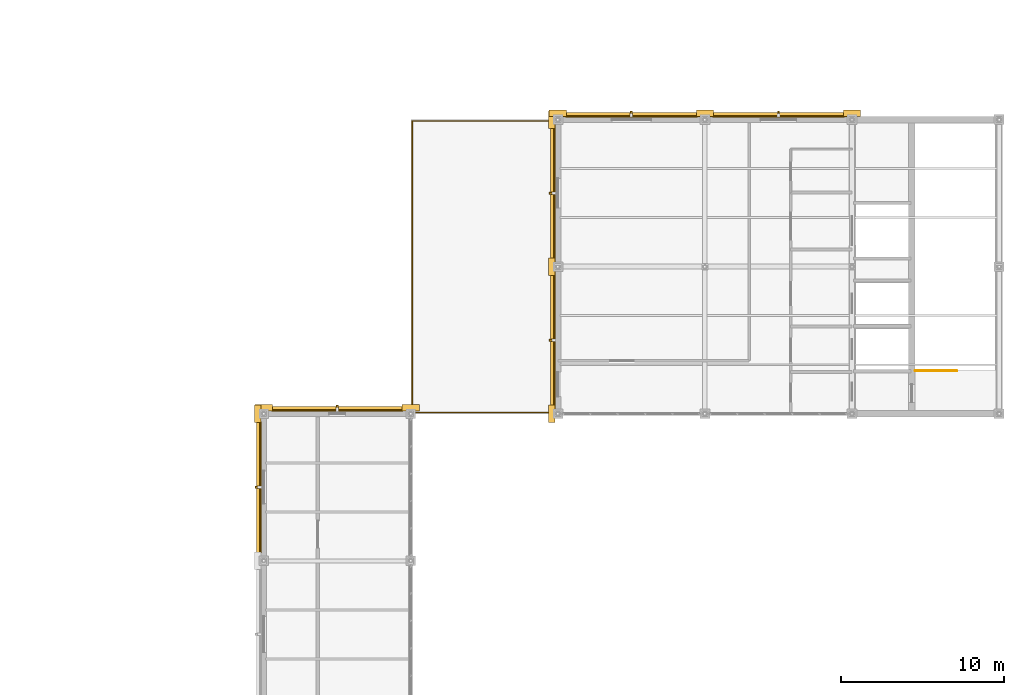
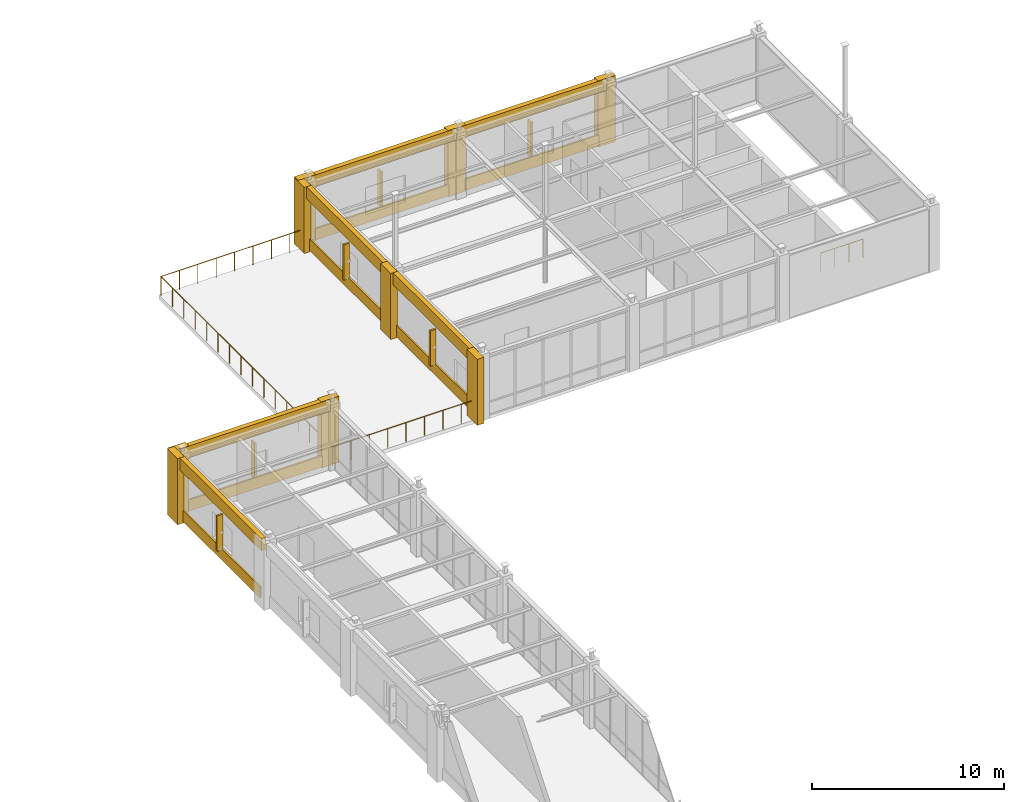
# One storey, part 97 of 97: 21 coverings, 6 shading devices, 2 railings.
"""IFC4 building model written with IfcOpenShell, lengths in metres."""

from ifc_helpers import new_model, si_unit, direction, frame, origin, origin_2d, place, context, subcontext, project, spatial, rectangle, circle, extrude, material, layer, layer_set, type_object, element, save


model = new_model("IFC4")

# Units and contexts
model_context = context("Model", 3, precision=1e-05, world=origin(), true_north=direction((0.0, 1.0)))
body_context = subcontext(model_context, "Body", "Model", "MODEL_VIEW")
ifc_project = project(units=[si_unit("LENGTHUNIT", "METRE"), si_unit("AREAUNIT", "SQUARE_METRE"), si_unit("VOLUMEUNIT", "CUBIC_METRE"), si_unit("PLANEANGLEUNIT", "RADIAN"), si_unit("MASSUNIT", "GRAM", prefix="KILO")], contexts=[model_context])

# Site, building, storey
site_placement = place(None, origin())
site = spatial("IfcSite", under=ifc_project, at=site_placement, CompositionType="ELEMENT")
building_placement = place(site_placement, origin())
building = spatial("IfcBuilding", under=site, at=building_placement, Name="Lykobir Media Centre", CompositionType="ELEMENT")
storey_placement = place(building_placement, frame((0.0, 0.0, 23.39990234375)))
storey = spatial("IfcBuildingStorey", under=building, at=storey_placement, Name="L05", CompositionType="ELEMENT", Elevation=23.39990234375)

# Coverings
ifc_material_1 = material(Name="Glazed Turquoise Terracotta", Category="masonry")
ifc_layer_1 = layer(ifc_material_1, 0.0400390625, Name="Glazed Turquoise Terracotta")
ifc_layer_set_1 = layer_set([ifc_layer_1], Name="Glazed Turquoise Terracotta")
covering_type_1 = type_object("IfcCoveringType", Name="CLD-TERR", PredefinedType="CLADDING", material=ifc_layer_set_1)
for number, where, z_axis, x_axis, name in (
    (1, (94.5, 72.196044921875, 0.080078125), (0.0, 0.0, 1.0), (-1.0, 0.0, 0.0), "Facade spandrel apron 733"),
    (2, (89.803955078125, 67.5, 0.080078125), (0.0, 0.0, 1.0), (0.0, -1.0, 0.0), "Facade spandrel apron 752"),
    (3, (112.5, 90.196044921875, 0.080078125), (0.0, 0.0, 1.0), (-1.0, 0.0, 0.0), "Facade spandrel apron 848"),
    (4, (121.5, 90.196044921875, 0.080078125), (0.0, 0.0, 1.0), (-1.0, 0.0, 0.0), "Facade spandrel apron 851"),
    (5, (107.803955078125, 76.5, 0.080078125), (0.0, 0.0, 1.0), (0.0, -1.0, 0.0), "Facade spandrel apron 855"),
    (6, (107.803955078125, 85.5, 0.080078125), (0.0, 0.0, 1.0), (0.0, -1.0, 0.0), "Facade spandrel apron 858"),
):
    element("IfcCovering", number, at=place(storey_placement, frame(where, z_axis=z_axis, x_axis=x_axis)), inside=storey, type_object=covering_type_1, Name=name, PredefinedType="CLADDING", context=body_context, shape_type="SweptSolid", body=[
        extrude(rectangle(XDim=8.030029296875, YDim=0.10009765625, at=origin_2d()), origin(), (0.0, 0.0, 1.0), 0.719970703125),
    ])
ifc_material_2 = material(Name="Honed Travertine Stone", Category="masonry")
ifc_layer_2 = layer(ifc_material_2, 0.050048828125, Name="Honed Travertine Stone")
ifc_layer_set_2 = layer_set([ifc_layer_2], Name="Honed Travertine Stone")
covering_type_2 = type_object("IfcCoveringType", Name="CLD-TRAV", PredefinedType="CLADDING", material=ifc_layer_set_2)
for number, where, z_axis, x_axis, name in (
    (7, (99.0, 72.3798828125, 0.0), (0.0, 0.0, 1.0), (-1.0, 0.0, 0.0), "Travertine column pier 730"),
    (8, (90.0, 72.3798828125, 0.0), (0.0, 0.0, 1.0), (-1.0, 0.0, 0.0), "Travertine column pier 731"),
):
    element("IfcCovering", number, at=place(storey_placement, frame(where, z_axis=z_axis, x_axis=x_axis)), inside=storey, type_object=covering_type_2, Name=name, PredefinedType="CLADDING", context=body_context, shape_type="SweptSolid", body=[
        extrude(rectangle(XDim=1.06005859375, YDim=0.39990234375, at=origin_2d()), origin(), (0.0, 0.0, 1.0), 4.199951171875),
    ])
covering_1_placement = place(storey_placement, frame((94.5, 72.300048828125, 3.43994140625), z_axis=(0.0, 0.0, 1.0), x_axis=(-1.0, 0.0, 0.0)))
element("IfcCovering", 9, at=covering_1_placement, inside=storey, type_object=covering_type_2, Name="Travertine spandrel stringcourse 732", PredefinedType="CLADDING", context=body_context, shape_type="SweptSolid", body=[
    extrude(rectangle(XDim=9.0, YDim=0.280029296875, at=origin_2d()), origin(), (0.0, 0.0, 1.0), 0.760009765625),
])
covering_2_placement = place(storey_placement, frame((89.6201171875, 72.0, 0.0), z_axis=(0.0, 0.0, 1.0), x_axis=(0.0, -1.0, 0.0)))
element("IfcCovering", 10, at=covering_2_placement, inside=storey, type_object=covering_type_2, Name="Travertine column pier 750", PredefinedType="CLADDING", context=body_context, shape_type="SweptSolid", body=[
    extrude(rectangle(XDim=1.06005859375, YDim=0.39990234375, at=origin_2d()), origin(), (0.0, 0.0, 1.0), 4.199951171875),
])
covering_3_placement = place(storey_placement, frame((89.699951171875, 67.5, 3.43994140625), z_axis=(0.0, 0.0, 1.0), x_axis=(0.0, -1.0, 0.0)))
element("IfcCovering", 11, at=covering_3_placement, inside=storey, type_object=covering_type_2, Name="Travertine spandrel stringcourse 751", PredefinedType="CLADDING", context=body_context, shape_type="SweptSolid", body=[
    extrude(rectangle(XDim=9.0, YDim=0.280029296875, at=origin_2d()), origin(), (0.0, 0.0, 1.0), 0.760009765625),
])
for number, where, z_axis, x_axis, name in (
    (12, (117.0, 90.3798828125, 0.0), (0.0, 0.0, 1.0), (-1.0, 0.0, 0.0), "Travertine column pier 845"),
    (13, (108.0, 90.3798828125, 0.0), (0.0, 0.0, 1.0), (-1.0, 0.0, 0.0), "Travertine column pier 846"),
):
    element("IfcCovering", number, at=place(storey_placement, frame(where, z_axis=z_axis, x_axis=x_axis)), inside=storey, type_object=covering_type_2, Name=name, PredefinedType="CLADDING", context=body_context, shape_type="SweptSolid", body=[
        extrude(rectangle(XDim=1.06005859375, YDim=0.39990234375, at=origin_2d()), origin(), (0.0, 0.0, 1.0), 4.199951171875),
    ])
covering_4_placement = place(storey_placement, frame((112.5, 90.300048828125, 3.43994140625), z_axis=(0.0, 0.0, 1.0), x_axis=(-1.0, 0.0, 0.0)))
element("IfcCovering", 14, at=covering_4_placement, inside=storey, type_object=covering_type_2, Name="Travertine spandrel stringcourse 847", PredefinedType="CLADDING", context=body_context, shape_type="SweptSolid", body=[
    extrude(rectangle(XDim=9.0, YDim=0.280029296875, at=origin_2d()), origin(), (0.0, 0.0, 1.0), 0.760009765625),
])
covering_5_placement = place(storey_placement, frame((126.0, 90.3798828125, 0.0), z_axis=(0.0, 0.0, 1.0), x_axis=(-1.0, 0.0, 0.0)))
element("IfcCovering", 15, at=covering_5_placement, inside=storey, type_object=covering_type_2, Name="Travertine column pier 849", PredefinedType="CLADDING", context=body_context, shape_type="SweptSolid", body=[
    extrude(rectangle(XDim=1.06005859375, YDim=0.39990234375, at=origin_2d()), origin(), (0.0, 0.0, 1.0), 4.199951171875),
])
covering_6_placement = place(storey_placement, frame((121.5, 90.300048828125, 3.43994140625), z_axis=(0.0, 0.0, 1.0), x_axis=(-1.0, 0.0, 0.0)))
element("IfcCovering", 16, at=covering_6_placement, inside=storey, type_object=covering_type_2, Name="Travertine spandrel stringcourse 850", PredefinedType="CLADDING", context=body_context, shape_type="SweptSolid", body=[
    extrude(rectangle(XDim=9.0, YDim=0.280029296875, at=origin_2d()), origin(), (0.0, 0.0, 1.0), 0.760009765625),
])
for number, where, z_axis, x_axis, name in (
    (17, (107.6201171875, 81.0, 0.0), (0.0, 0.0, 1.0), (0.0, -1.0, 0.0), "Travertine column pier 852"),
    (18, (107.6201171875, 72.0, 0.0), (0.0, 0.0, 1.0), (0.0, -1.0, 0.0), "Travertine column pier 853"),
):
    element("IfcCovering", number, at=place(storey_placement, frame(where, z_axis=z_axis, x_axis=x_axis)), inside=storey, type_object=covering_type_2, Name=name, PredefinedType="CLADDING", context=body_context, shape_type="SweptSolid", body=[
        extrude(rectangle(XDim=1.06005859375, YDim=0.39990234375, at=origin_2d()), origin(), (0.0, 0.0, 1.0), 4.199951171875),
    ])
covering_7_placement = place(storey_placement, frame((107.699951171875, 76.5, 3.43994140625), z_axis=(0.0, 0.0, 1.0), x_axis=(0.0, -1.0, 0.0)))
element("IfcCovering", 19, at=covering_7_placement, inside=storey, type_object=covering_type_2, Name="Travertine spandrel stringcourse 854", PredefinedType="CLADDING", context=body_context, shape_type="SweptSolid", body=[
    extrude(rectangle(XDim=9.0, YDim=0.280029296875, at=origin_2d()), origin(), (0.0, 0.0, 1.0), 0.760009765625),
])
covering_8_placement = place(storey_placement, frame((107.6201171875, 90.0, 0.0), z_axis=(0.0, 0.0, 1.0), x_axis=(0.0, -1.0, 0.0)))
element("IfcCovering", 20, at=covering_8_placement, inside=storey, type_object=covering_type_2, Name="Travertine column pier 856", PredefinedType="CLADDING", context=body_context, shape_type="SweptSolid", body=[
    extrude(rectangle(XDim=1.06005859375, YDim=0.39990234375, at=origin_2d()), origin(), (0.0, 0.0, 1.0), 4.199951171875),
])
covering_9_placement = place(storey_placement, frame((107.699951171875, 85.5, 3.43994140625), z_axis=(0.0, 0.0, 1.0), x_axis=(0.0, -1.0, 0.0)))
element("IfcCovering", 21, at=covering_9_placement, inside=storey, type_object=covering_type_2, Name="Travertine spandrel stringcourse 857", PredefinedType="CLADDING", context=body_context, shape_type="SweptSolid", body=[
    extrude(rectangle(XDim=9.0, YDim=0.280029296875, at=origin_2d()), origin(), (0.0, 0.0, 1.0), 0.760009765625),
])

# Railings
ifc_material_3 = material(Name="Steel S355", Category="steel")
railing_type_1 = type_object("IfcRailingType", Name="GR-1200", PredefinedType="BALUSTRADE", material=ifc_material_3)
railing_1_placement = place(storey_placement, frame((129.8701171875, 74.6298828125, 0.0)))
element("IfcRailing", 22, at=railing_1_placement, inside=storey, type_object=railing_type_1, Name="ST-4 L05 arrival well guard", PredefinedType="BALUSTRADE", context=body_context, shape_type="SweptSolid", body=[
    extrude(circle(Radius=0.02392578125, at=origin_2d()), frame((0.0, 0.0, 1.17578125), z_axis=(1.0, 0.0, 0.0), x_axis=(0.0, 1.0, 0.0)), (0.0, 0.0, 1.0), 2.539794921875),
    extrude(circle(Radius=0.02099609375, at=origin_2d()), origin(), (0.0, 0.0, 1.0), 1.15185546875),
    extrude(circle(Radius=0.02099609375, at=origin_2d()), frame((0.8466796875, 0.0, 0.0)), (0.0, 0.0, 1.0), 1.15185546875),
    extrude(circle(Radius=0.02099609375, at=origin_2d()), frame((1.693115234375, 0.0, 0.0)), (0.0, 0.0, 1.0), 1.15185546875),
    extrude(circle(Radius=0.02099609375, at=origin_2d()), frame((2.539794921875, 0.0, 0.0)), (0.0, 0.0, 1.0), 1.15185546875),
])
railing_type_2 = type_object("IfcRailingType", Name="GR-EXT-1220", PredefinedType="BALUSTRADE", material=ifc_material_3)
railing_2_placement = place(storey_placement, frame((107.919921875, 89.919921875, 0.0)))
element("IfcRailing", 23, at=railing_2_placement, inside=storey, type_object=railing_type_2, Name="East Cloister Roof Garden perimeter balustrade", PredefinedType="BALUSTRADE", context=body_context, shape_type="SweptSolid", body=[
    extrude(circle(Radius=0.02392578125, at=origin_2d()), frame((0.0, 0.0, 1.19580078125), z_axis=(-1.0, 0.0, 0.0), x_axis=(0.0, -1.0, 0.0)), (0.0, 0.0, 1.0), 8.83984375),
    extrude(circle(Radius=0.02392578125, at=origin_2d()), frame((-8.83984375, 0.0, 1.19580078125), z_axis=(0.0, -1.0, 0.0), x_axis=(1.0, 0.0, 0.0)), (0.0, 0.0, 1.0), 17.83984375),
    extrude(circle(Radius=0.02392578125, at=origin_2d()), frame((-8.83984375, -17.83984375, 1.19580078125), z_axis=(1.0, 0.0, 0.0), x_axis=(0.0, 1.0, 0.0)), (0.0, 0.0, 1.0), 8.83984375),
    extrude(circle(Radius=0.02099609375, at=origin_2d()), origin(), (0.0, 0.0, 1.0), 1.171875),
    extrude(circle(Radius=0.02099609375, at=origin_2d()), frame((-1.10498046875, 0.0, 0.0)), (0.0, 0.0, 1.0), 1.171875),
    extrude(circle(Radius=0.02099609375, at=origin_2d()), frame((-2.2099609375, 0.0, 0.0)), (0.0, 0.0, 1.0), 1.171875),
    extrude(circle(Radius=0.02099609375, at=origin_2d()), frame((-3.31494140625, 0.0, 0.0)), (0.0, 0.0, 1.0), 1.171875),
    extrude(circle(Radius=0.02099609375, at=origin_2d()), frame((-4.419921875, 0.0, 0.0)), (0.0, 0.0, 1.0), 1.171875),
    extrude(circle(Radius=0.02099609375, at=origin_2d()), frame((-5.52490234375, 0.0, 0.0)), (0.0, 0.0, 1.0), 1.171875),
    extrude(circle(Radius=0.02099609375, at=origin_2d()), frame((-6.6298828125, 0.0, 0.0)), (0.0, 0.0, 1.0), 1.171875),
    extrude(circle(Radius=0.02099609375, at=origin_2d()), frame((-7.73486328125, 0.0, 0.0)), (0.0, 0.0, 1.0), 1.171875),
    extrude(circle(Radius=0.02099609375, at=origin_2d()), frame((-8.83984375, 0.0, 0.0)), (0.0, 0.0, 1.0), 1.171875),
    extrude(circle(Radius=0.02099609375, at=origin_2d()), frame((-8.83984375, -1.189208984375, 0.0)), (0.0, 0.0, 1.0), 1.171875),
    extrude(circle(Radius=0.02099609375, at=origin_2d()), frame((-8.83984375, -2.378662109375, 0.0)), (0.0, 0.0, 1.0), 1.171875),
    extrude(circle(Radius=0.02099609375, at=origin_2d()), frame((-8.83984375, -3.56787109375, 0.0)), (0.0, 0.0, 1.0), 1.171875),
    extrude(circle(Radius=0.02099609375, at=origin_2d()), frame((-8.83984375, -4.75732421875, 0.0)), (0.0, 0.0, 1.0), 1.171875),
    extrude(circle(Radius=0.02099609375, at=origin_2d()), frame((-8.83984375, -5.946533203125, 0.0)), (0.0, 0.0, 1.0), 1.171875),
    extrude(circle(Radius=0.02099609375, at=origin_2d()), frame((-8.83984375, -7.135986328125, 0.0)), (0.0, 0.0, 1.0), 1.171875),
    extrude(circle(Radius=0.02099609375, at=origin_2d()), frame((-8.83984375, -8.3251953125, 0.0)), (0.0, 0.0, 1.0), 1.171875),
    extrude(circle(Radius=0.02099609375, at=origin_2d()), frame((-8.83984375, -9.5146484375, 0.0)), (0.0, 0.0, 1.0), 1.171875),
    extrude(circle(Radius=0.02099609375, at=origin_2d()), frame((-8.83984375, -10.703857421875, 0.0)), (0.0, 0.0, 1.0), 1.171875),
    extrude(circle(Radius=0.02099609375, at=origin_2d()), frame((-8.83984375, -11.893310546875, 0.0)), (0.0, 0.0, 1.0), 1.171875),
    extrude(circle(Radius=0.02099609375, at=origin_2d()), frame((-8.83984375, -13.08251953125, 0.0)), (0.0, 0.0, 1.0), 1.171875),
    extrude(circle(Radius=0.02099609375, at=origin_2d()), frame((-8.83984375, -14.27197265625, 0.0)), (0.0, 0.0, 1.0), 1.171875),
    extrude(circle(Radius=0.02099609375, at=origin_2d()), frame((-8.83984375, -15.461181640625, 0.0)), (0.0, 0.0, 1.0), 1.171875),
    extrude(circle(Radius=0.02099609375, at=origin_2d()), frame((-8.83984375, -16.650634765625, 0.0)), (0.0, 0.0, 1.0), 1.171875),
    extrude(circle(Radius=0.02099609375, at=origin_2d()), frame((-8.83984375, -17.83984375, 0.0)), (0.0, 0.0, 1.0), 1.171875),
    extrude(circle(Radius=0.02099609375, at=origin_2d()), frame((-7.73486328125, -17.83984375, 0.0)), (0.0, 0.0, 1.0), 1.171875),
    extrude(circle(Radius=0.02099609375, at=origin_2d()), frame((-6.6298828125, -17.83984375, 0.0)), (0.0, 0.0, 1.0), 1.171875),
    extrude(circle(Radius=0.02099609375, at=origin_2d()), frame((-5.52490234375, -17.83984375, 0.0)), (0.0, 0.0, 1.0), 1.171875),
    extrude(circle(Radius=0.02099609375, at=origin_2d()), frame((-4.419921875, -17.83984375, 0.0)), (0.0, 0.0, 1.0), 1.171875),
    extrude(circle(Radius=0.02099609375, at=origin_2d()), frame((-3.31494140625, -17.83984375, 0.0)), (0.0, 0.0, 1.0), 1.171875),
    extrude(circle(Radius=0.02099609375, at=origin_2d()), frame((-2.2099609375, -17.83984375, 0.0)), (0.0, 0.0, 1.0), 1.171875),
    extrude(circle(Radius=0.02099609375, at=origin_2d()), frame((-1.10498046875, -17.83984375, 0.0)), (0.0, 0.0, 1.0), 1.171875),
    extrude(circle(Radius=0.02099609375, at=origin_2d()), frame((0.0, -17.83984375, 0.0)), (0.0, 0.0, 1.0), 1.171875),
])

# Shading devices
shading_device_type = type_object("IfcShadingDeviceType", Name="SHD-FIN", PredefinedType="USERDEFINED", material=ifc_material_1)
for number, where, z_axis, x_axis, name in (
    (24, (94.5, 72.35009765625, 0.72509765625), (0.0, 0.0, 1.0), (-1.0, 0.0, 0.0), "Terracotta shading fin 81"),
    (25, (89.64990234375, 67.5, 0.72509765625), (0.0, 0.0, 1.0), (0.0, -1.0, 0.0), "Terracotta shading fin 87"),
    (26, (112.5, 90.35009765625, 0.72509765625), (0.0, 0.0, 1.0), (-1.0, 0.0, 0.0), "Terracotta shading fin 110"),
    (27, (121.5, 90.35009765625, 0.72509765625), (0.0, 0.0, 1.0), (-1.0, 0.0, 0.0), "Terracotta shading fin 111"),
    (28, (107.64990234375, 76.5, 0.72509765625), (0.0, 0.0, 1.0), (0.0, -1.0, 0.0), "Terracotta shading fin 112"),
    (29, (107.64990234375, 85.5, 0.72509765625), (0.0, 0.0, 1.0), (0.0, -1.0, 0.0), "Terracotta shading fin 113"),
):
    element("IfcShadingDevice", number, at=place(storey_placement, frame(where, z_axis=z_axis, x_axis=x_axis)), inside=storey, type_object=shading_device_type, Name=name, ObjectType="FIN", PredefinedType="USERDEFINED", context=body_context, shape_type="SweptSolid", body=[
        extrude(rectangle(XDim=0.1201171875, YDim=0.35009765625, at=origin_2d()), origin(), (0.0, 0.0, 1.0), 2.25),
    ])

save(model, "model.ifc")
